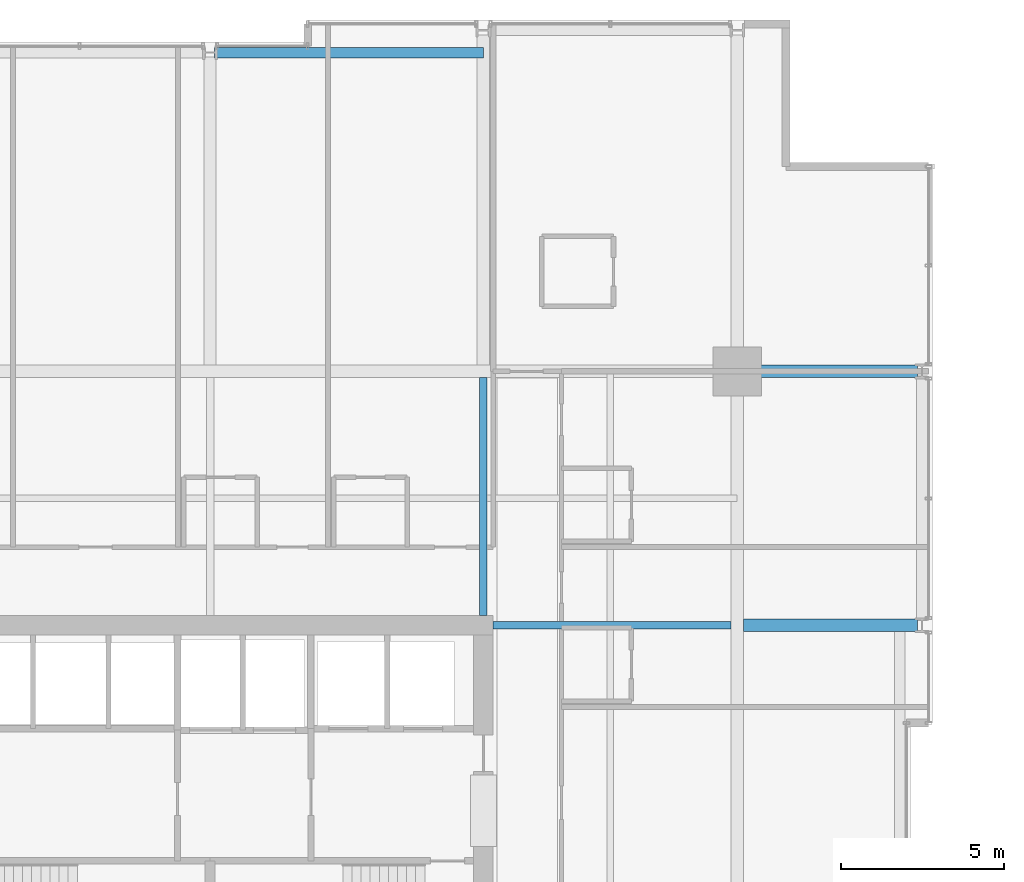
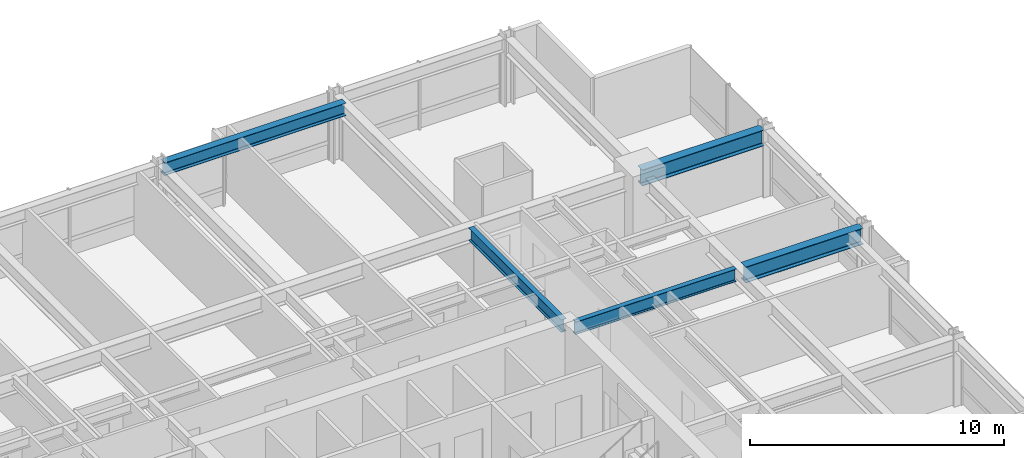
# One storey, part 23 of 35: 5 beams.
"""IFC4 building model written with IfcOpenShell, lengths in metres."""

from ifc_helpers import new_model, si_unit, direction, frame, origin, origin_2d, place, context, subcontext, project, spatial, i_section, extrude, material, material_profile, profile_set, type_object, element, save


model = new_model("IFC4")

# Units and contexts
model_context = context("Model", 3, precision=1e-05, world=origin(), true_north=direction((0.0, 1.0)))
body_context = subcontext(model_context, "Body", "Model", "MODEL_VIEW")
ifc_project = project(units=[si_unit("LENGTHUNIT", "METRE"), si_unit("AREAUNIT", "SQUARE_METRE"), si_unit("VOLUMEUNIT", "CUBIC_METRE"), si_unit("PLANEANGLEUNIT", "RADIAN"), si_unit("MASSUNIT", "GRAM", prefix="KILO")], contexts=[model_context])

# Site, building, storey
site_placement = place(None, origin())
site = spatial("IfcSite", under=ifc_project, at=site_placement, CompositionType="ELEMENT")
building_placement = place(site_placement, origin())
building = spatial("IfcBuilding", under=site, at=building_placement, Name="Drelvath Grand Hotel", CompositionType="ELEMENT")
storey_placement = place(building_placement, frame((0.0, 0.0, 98.800048828125)))
storey = spatial("IfcBuildingStorey", under=building, at=storey_placement, Name="L24", CompositionType="ELEMENT", Elevation=98.800048828125)

# Beams
ifc_material = material(Name="Steel ASTM A992 Gr 50", Category="steel")
ifc_material_profile_1 = material_profile(ifc_material, i_section(OverallWidth=0.323974609375, OverallDepth=0.611083984375, WebThickness=0.0126953125, FlangeThickness=0.01904296875, FilletRadius=0.02197265625, at=origin_2d()), Name="W24X104")
ifc_profile_set_1 = profile_set([ifc_material_profile_1], Name="Steel ASTM A992 Gr 50")
beam_type_1 = type_object("IfcBeamType", Name="Perimeter Spandrel Beam W24X104", PredefinedType="SPANDREL", material=ifc_profile_set_1)
beam_1_placement = place(storey_placement, frame((0.139892578125, 53.0, 2.9345703125), z_axis=(1.0, 0.0, 0.0), x_axis=(0.0, 1.0, 0.0)))
element("IfcBeam", 1, at=beam_1_placement, inside=storey, type_object=beam_type_1, Name="L24 Spandrel North Mid E", PredefinedType="SPANDREL", context=body_context, shape_type="SweptSolid", body=[
    extrude(i_section(OverallWidth=0.323974609375, OverallDepth=0.611083984375, WebThickness=0.0126953125, FlangeThickness=0.01904296875, FilletRadius=0.02197265625, at=origin_2d()), origin(), (0.0, 0.0, 1.0), 8.260009765625),
])
ifc_material_profile_2 = material_profile(ifc_material, i_section(OverallWidth=0.228271484375, OverallDepth=0.607666015625, WebThickness=0.01123046875, FlangeThickness=0.017333984375, FilletRadius=0.02001953125, at=origin_2d()), Name="W24X76")
ifc_profile_set_2 = profile_set([ifc_material_profile_2], Name="Steel ASTM A992 Gr 50")
beam_type_2 = type_object("IfcBeamType", Name="Primary Floor Girder W24X76", PredefinedType="BEAM", material=ifc_profile_set_2)
for number, where, z_axis, x_axis, name in (
    (2, (8.699951171875, 35.39990234375, 2.93603515625), (1.0, 0.0, 0.0), (0.0, 1.0, 0.0), "L24 East Core Tie F"),
    (3, (8.39990234375, 35.699951171875, 2.93603515625), (0.0, 1.0, 0.0), (-1.0, 0.0, 0.0), "L24 North Core Tie 6"),
):
    element("IfcBeam", number, at=place(storey_placement, frame(where, z_axis=z_axis, x_axis=x_axis)), inside=storey, type_object=beam_type_2, Name=name, PredefinedType="BEAM", context=body_context, shape_type="SweptSolid", body=[
        extrude(i_section(OverallWidth=0.228271484375, OverallDepth=0.607666015625, WebThickness=0.01123046875, FlangeThickness=0.017333984375, FilletRadius=0.02001953125, at=origin_2d()), origin(), (0.0, 0.0, 1.0), 7.309814453125),
    ])
ifc_material_profile_3 = material_profile(ifc_material, i_section(OverallWidth=0.380615234375, OverallDepth=0.773193359375, WebThickness=0.0166015625, FlangeThickness=0.027099609375, FilletRadius=0.02490234375, at=origin_2d()), Name="W30X173")
ifc_profile_set_3 = profile_set([ifc_material_profile_3], Name="Steel ASTM A992 Gr 50")
beam_type_3 = type_object("IfcBeamType", Name="Primary Floor Girder W30X173", PredefinedType="BEAM", material=ifc_profile_set_3)
beam_2_placement = place(storey_placement, frame((16.199951171875, 43.199951171875, 2.853271484375), z_axis=(1.0, 0.0, 0.0), x_axis=(0.0, 1.0, 0.0)))
element("IfcBeam", 4, at=beam_2_placement, inside=storey, type_object=beam_type_3, Name="L24 East Grid Girder G", PredefinedType="BEAM", context=body_context, shape_type="SweptSolid", body=[
    extrude(i_section(OverallWidth=0.380615234375, OverallDepth=0.773193359375, WebThickness=0.0166015625, FlangeThickness=0.027099609375, FilletRadius=0.02490234375, at=origin_2d()), origin(), (0.0, 0.0, 1.0), 5.5400390625),
])
beam_3_placement = place(storey_placement, frame((16.390380859375, 35.39990234375, 2.853271484375), z_axis=(1.0, 0.0, 0.0), x_axis=(0.0, 1.0, 0.0)))
element("IfcBeam", 5, at=beam_3_placement, inside=storey, type_object=beam_type_3, Name="L24 East Wing Girder F", PredefinedType="BEAM", context=body_context, shape_type="SweptSolid", body=[
    extrude(i_section(OverallWidth=0.380615234375, OverallDepth=0.773193359375, WebThickness=0.0166015625, FlangeThickness=0.027099609375, FilletRadius=0.02490234375, at=origin_2d()), origin(), (0.0, 0.0, 1.0), 5.349609375),
])

save(model, "model.ifc")
